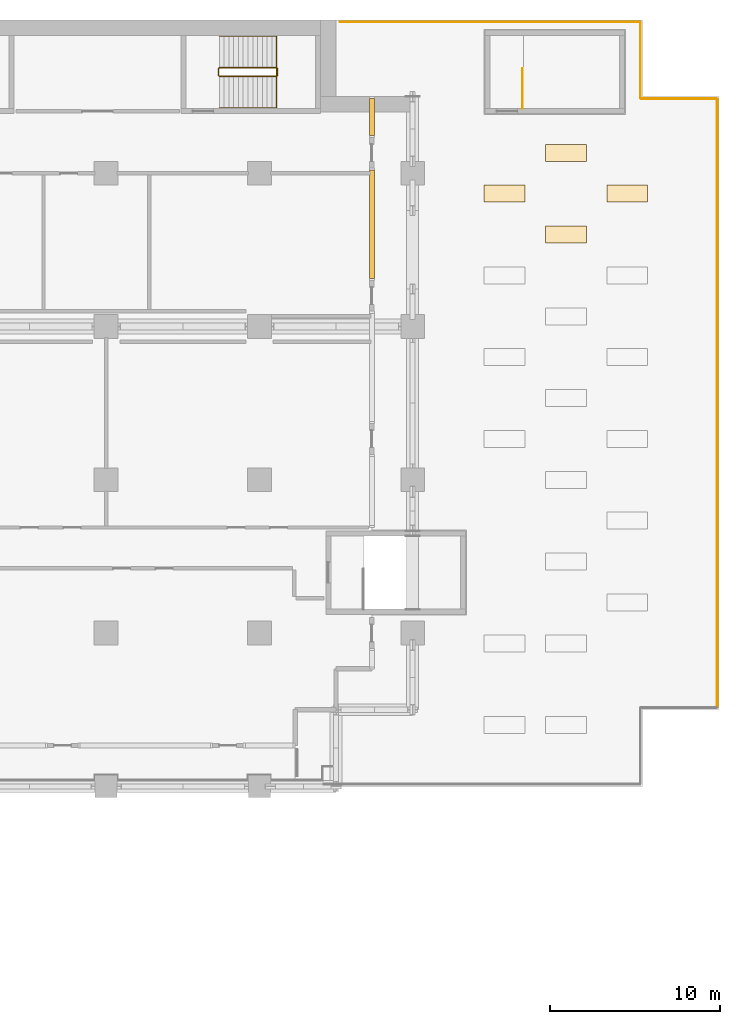
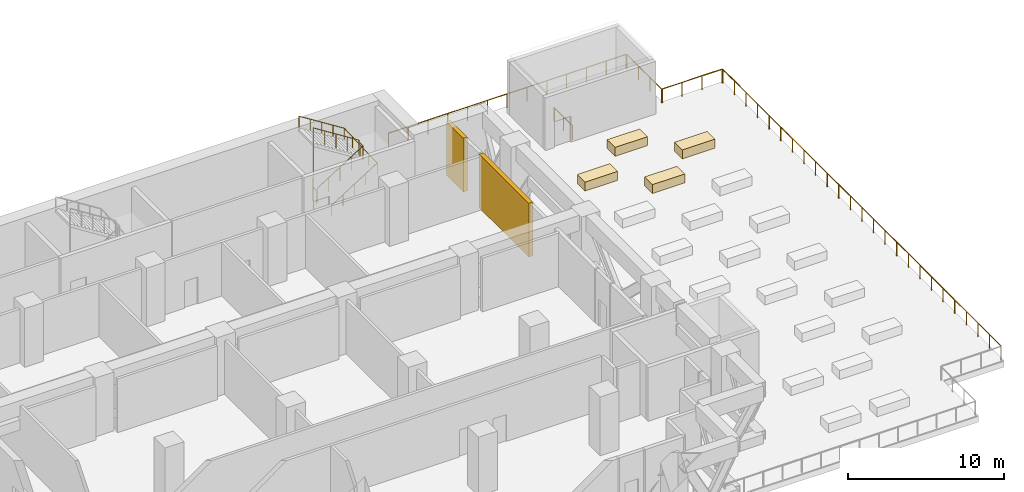
# One storey, part 24 of 24: 7 railings, 4 coverings, 2 shading devices.
"""IFC4 building model written with IfcOpenShell, lengths in metres."""

from ifc_helpers import new_model, si_unit, direction, frame, origin, origin_2d, place, context, subcontext, project, spatial, polyline, rectangle, circle, outline, extrude, material, layer, layer_set, type_object, element, save


model = new_model("IFC4")

# Units and contexts
model_context = context("Model", 3, precision=1e-05, world=origin(), true_north=direction((0.0, 1.0)))
body_context = subcontext(model_context, "Body", "Model", "MODEL_VIEW")
ifc_project = project(units=[si_unit("LENGTHUNIT", "METRE"), si_unit("AREAUNIT", "SQUARE_METRE"), si_unit("VOLUMEUNIT", "CUBIC_METRE"), si_unit("PLANEANGLEUNIT", "RADIAN"), si_unit("MASSUNIT", "GRAM", prefix="KILO")], contexts=[model_context])

# Site, building, storey
site_placement = place(None, origin())
site = spatial("IfcSite", under=ifc_project, at=site_placement, CompositionType="ELEMENT")
building_placement = place(site_placement, origin())
building = spatial("IfcBuilding", under=site, at=building_placement, Name="Hunhe Ridgeline Campus", CompositionType="ELEMENT")
storey_placement = place(building_placement, frame((0.0, 0.0, 80.199951171875)))
storey = spatial("IfcBuildingStorey", under=building, at=storey_placement, Name="L19", CompositionType="ELEMENT", Elevation=80.199951171875)

# Railings
ifc_material_1 = material(Name="Steel Q355", Category="steel")
railing_type_1 = type_object("IfcRailingType", Name="Loggia guard 1100 Steel Q355", PredefinedType="GUARDRAIL", material=ifc_material_1)
railing_1_placement = place(storey_placement, frame((76.75, 98.8798828125, 0.080078125)))
element("IfcRailing", 1, at=railing_1_placement, inside=storey, type_object=railing_type_1, Name="Terrace guard 2", PredefinedType="GUARDRAIL", context=body_context, shape_type="SweptSolid", body=[
    extrude(circle(Radius=0.02392578125, at=origin_2d()), frame((0.0, 0.0, 1.076171875), z_axis=(1.0, 0.0, 0.0), x_axis=(0.0, 1.0, 0.0)), (0.0, 0.0, 1.0), 17.590087890625),
    extrude(circle(Radius=0.02099609375, at=origin_2d()), origin(), (0.0, 0.0, 1.0), 1.052001953125),
    extrude(circle(Radius=0.02099609375, at=origin_2d()), frame((1.4658203125, 0.0, 0.0)), (0.0, 0.0, 1.0), 1.052001953125),
    extrude(circle(Radius=0.02099609375, at=origin_2d()), frame((2.931640625, 0.0, 0.0)), (0.0, 0.0, 1.0), 1.052001953125),
    extrude(circle(Radius=0.02099609375, at=origin_2d()), frame((4.3974609375, 0.0, 0.0)), (0.0, 0.0, 1.0), 1.052001953125),
    extrude(circle(Radius=0.02099609375, at=origin_2d()), frame((5.86328125, 0.0, 0.0)), (0.0, 0.0, 1.0), 1.052001953125),
    extrude(circle(Radius=0.02099609375, at=origin_2d()), frame((7.3291015625, 0.0, 0.0)), (0.0, 0.0, 1.0), 1.052001953125),
    extrude(circle(Radius=0.02099609375, at=origin_2d()), frame((8.794921875, 0.0, 0.0)), (0.0, 0.0, 1.0), 1.052001953125),
    extrude(circle(Radius=0.02099609375, at=origin_2d()), frame((10.260986328125, 0.0, 0.0)), (0.0, 0.0, 1.0), 1.052001953125),
    extrude(circle(Radius=0.02099609375, at=origin_2d()), frame((11.726806640625, 0.0, 0.0)), (0.0, 0.0, 1.0), 1.052001953125),
    extrude(circle(Radius=0.02099609375, at=origin_2d()), frame((13.192626953125, 0.0, 0.0)), (0.0, 0.0, 1.0), 1.052001953125),
    extrude(circle(Radius=0.02099609375, at=origin_2d()), frame((14.658447265625, 0.0, 0.0)), (0.0, 0.0, 1.0), 1.052001953125),
    extrude(circle(Radius=0.02099609375, at=origin_2d()), frame((16.124267578125, 0.0, 0.0)), (0.0, 0.0, 1.0), 1.052001953125),
    extrude(circle(Radius=0.02099609375, at=origin_2d()), frame((17.590087890625, 0.0, 0.0)), (0.0, 0.0, 1.0), 1.052001953125),
])
railing_2_placement = place(storey_placement, frame((94.3798828125, 98.840087890625, 0.080078125)))
element("IfcRailing", 2, at=railing_2_placement, inside=storey, type_object=railing_type_1, Name="Terrace guard 3", PredefinedType="GUARDRAIL", context=body_context, shape_type="SweptSolid", body=[
    extrude(circle(Radius=0.02392578125, at=origin_2d()), frame((0.0, 0.0, 1.076171875), z_axis=(0.000110478925, -0.999999993897, 0.0), x_axis=(0.999999993897, 0.000110478925, 0.0)), (0.0, 0.0, 1.0), 4.419677734375),
    extrude(circle(Radius=0.02099609375, at=origin_2d()), origin(), (0.0, 0.0, 1.0), 1.052001953125),
    extrude(circle(Radius=0.02099609375, at=origin_2d()), frame((0.000244140625, -1.47314453125, 0.0)), (0.0, 0.0, 1.0), 1.052001953125),
    extrude(circle(Radius=0.02099609375, at=origin_2d()), frame((0.000244140625, -2.946533203125, 0.0)), (0.0, 0.0, 1.0), 1.052001953125),
    extrude(circle(Radius=0.02099609375, at=origin_2d()), frame((0.00048828125, -4.419677734375, 0.0)), (0.0, 0.0, 1.0), 1.052001953125),
])
railing_3_placement = place(storey_placement, frame((94.42041015625, 94.38037109375, 0.080078125)))
element("IfcRailing", 3, at=railing_3_placement, inside=storey, type_object=railing_type_1, Name="Terrace guard 4", PredefinedType="GUARDRAIL", context=body_context, shape_type="SweptSolid", body=[
    extrude(circle(Radius=0.02392578125, at=origin_2d()), frame((0.0, 0.0, 1.076171875), z_axis=(0.999999993897, -0.000110478925, 0.0), x_axis=(0.000110478925, 0.999999993897, 0.0)), (0.0, 0.0, 1.0), 4.419677734375),
    extrude(circle(Radius=0.02099609375, at=origin_2d()), origin(), (0.0, 0.0, 1.0), 1.052001953125),
    extrude(circle(Radius=0.02099609375, at=origin_2d()), frame((1.47314453125, -0.000244140625, 0.0)), (0.0, 0.0, 1.0), 1.052001953125),
    extrude(circle(Radius=0.02099609375, at=origin_2d()), frame((2.946533203125, -0.000244140625, 0.0)), (0.0, 0.0, 1.0), 1.052001953125),
    extrude(circle(Radius=0.02099609375, at=origin_2d()), frame((4.419677734375, -0.00048828125, 0.0)), (0.0, 0.0, 1.0), 1.052001953125),
])
railing_4_placement = place(storey_placement, frame((98.8798828125, 94.340087890625, 0.080078125)))
element("IfcRailing", 4, at=railing_4_placement, inside=storey, type_object=railing_type_1, Name="Terrace guard 5", PredefinedType="GUARDRAIL", context=body_context, shape_type="SweptSolid", body=[
    extrude(circle(Radius=0.02392578125, at=origin_2d()), frame((0.0, 0.0, 1.076171875), z_axis=(0.0, -1.0, 0.0), x_axis=(1.0, 0.0, 0.0)), (0.0, 0.0, 1.0), 35.68017578125),
    extrude(circle(Radius=0.02099609375, at=origin_2d()), origin(), (0.0, 0.0, 1.0), 1.052001953125),
    extrude(circle(Radius=0.02099609375, at=origin_2d()), frame((0.0, -1.486572265625, 0.0)), (0.0, 0.0, 1.0), 1.052001953125),
    extrude(circle(Radius=0.02099609375, at=origin_2d()), frame((0.0, -2.973388671875, 0.0)), (0.0, 0.0, 1.0), 1.052001953125),
    extrude(circle(Radius=0.02099609375, at=origin_2d()), frame((0.0, -4.4599609375, 0.0)), (0.0, 0.0, 1.0), 1.052001953125),
    extrude(circle(Radius=0.02099609375, at=origin_2d()), frame((0.0, -5.94677734375, 0.0)), (0.0, 0.0, 1.0), 1.052001953125),
    extrude(circle(Radius=0.02099609375, at=origin_2d()), frame((0.0, -7.433349609375, 0.0)), (0.0, 0.0, 1.0), 1.052001953125),
    extrude(circle(Radius=0.02099609375, at=origin_2d()), frame((0.0, -8.919921875, 0.0)), (0.0, 0.0, 1.0), 1.052001953125),
    extrude(circle(Radius=0.02099609375, at=origin_2d()), frame((0.0, -10.40673828125, 0.0)), (0.0, 0.0, 1.0), 1.052001953125),
    extrude(circle(Radius=0.02099609375, at=origin_2d()), frame((0.0, -11.893310546875, 0.0)), (0.0, 0.0, 1.0), 1.052001953125),
    extrude(circle(Radius=0.02099609375, at=origin_2d()), frame((0.0, -13.380126953125, 0.0)), (0.0, 0.0, 1.0), 1.052001953125),
    extrude(circle(Radius=0.02099609375, at=origin_2d()), frame((0.0, -14.86669921875, 0.0)), (0.0, 0.0, 1.0), 1.052001953125),
    extrude(circle(Radius=0.02099609375, at=origin_2d()), frame((0.0, -16.353515625, 0.0)), (0.0, 0.0, 1.0), 1.052001953125),
    extrude(circle(Radius=0.02099609375, at=origin_2d()), frame((0.0, -17.840087890625, 0.0)), (0.0, 0.0, 1.0), 1.052001953125),
    extrude(circle(Radius=0.02099609375, at=origin_2d()), frame((0.0, -19.32666015625, 0.0)), (0.0, 0.0, 1.0), 1.052001953125),
    extrude(circle(Radius=0.02099609375, at=origin_2d()), frame((0.0, -20.8134765625, 0.0)), (0.0, 0.0, 1.0), 1.052001953125),
    extrude(circle(Radius=0.02099609375, at=origin_2d()), frame((0.0, -22.300048828125, 0.0)), (0.0, 0.0, 1.0), 1.052001953125),
    extrude(circle(Radius=0.02099609375, at=origin_2d()), frame((0.0, -23.786865234375, 0.0)), (0.0, 0.0, 1.0), 1.052001953125),
    extrude(circle(Radius=0.02099609375, at=origin_2d()), frame((0.0, -25.2734375, 0.0)), (0.0, 0.0, 1.0), 1.052001953125),
    extrude(circle(Radius=0.02099609375, at=origin_2d()), frame((0.0, -26.76025390625, 0.0)), (0.0, 0.0, 1.0), 1.052001953125),
    extrude(circle(Radius=0.02099609375, at=origin_2d()), frame((0.0, -28.246826171875, 0.0)), (0.0, 0.0, 1.0), 1.052001953125),
    extrude(circle(Radius=0.02099609375, at=origin_2d()), frame((0.0, -29.7333984375, 0.0)), (0.0, 0.0, 1.0), 1.052001953125),
    extrude(circle(Radius=0.02099609375, at=origin_2d()), frame((0.0, -31.22021484375, 0.0)), (0.0, 0.0, 1.0), 1.052001953125),
    extrude(circle(Radius=0.02099609375, at=origin_2d()), frame((0.0, -32.706787109375, 0.0)), (0.0, 0.0, 1.0), 1.052001953125),
    extrude(circle(Radius=0.02099609375, at=origin_2d()), frame((0.0, -34.193603515625, 0.0)), (0.0, 0.0, 1.0), 1.052001953125),
    extrude(circle(Radius=0.02099609375, at=origin_2d()), frame((0.0, -35.68017578125, 0.0)), (0.0, 0.0, 1.0), 1.052001953125),
])

# Shading devices
ifc_material_2 = material(Name="Aluminium 6063", Category="aluminium")
ifc_layer = layer(ifc_material_2, 0.300048828125)
ifc_layer_set = layer_set([ifc_layer], Name="Louvre bank 300 Aluminium 6063")
shading_device_type = type_object("IfcShadingDeviceType", Name="Louvre bank 300 Aluminium 6063", PredefinedType="USERDEFINED", material=ifc_layer_set)
shading_device_1_placement = place(storey_placement, frame((78.59912109375, 87.000244140625, 0.0), z_axis=(0.0, 0.0, 1.0), x_axis=(0.0, 1.0, 0.0)))
element("IfcShadingDevice", 5, at=shading_device_1_placement, inside=storey, type_object=shading_device_type, Name="Louvre bank 28", ObjectType="LOUVRE", PredefinedType="USERDEFINED", context=body_context, shape_type="SweptSolid", body=[
    extrude(rectangle(XDim=6.35986328125, YDim=0.300048828125, at=origin_2d()), origin(), (0.0, 0.0, 1.0), 4.199951171875),
])
shading_device_2_placement = place(storey_placement, frame((78.59912109375, 93.300048828125, 0.0), z_axis=(0.0, 0.0, 1.0), x_axis=(0.0, 1.0, 0.0)))
element("IfcShadingDevice", 6, at=shading_device_2_placement, inside=storey, type_object=shading_device_type, Name="Louvre bank 29", ObjectType="LOUVRE", PredefinedType="USERDEFINED", context=body_context, shape_type="SweptSolid", body=[
    extrude(rectangle(XDim=2.159912109375, YDim=0.300048828125, at=origin_2d()), origin(), (0.0, 0.0, 1.0), 4.199951171875),
])

# Coverings
ifc_material_3 = material(Name="Planting soil")
covering_type = type_object("IfcCoveringType", Name="Planter box 700 planting soil", PredefinedType="USERDEFINED", material=ifc_material_3)
covering_1_placement = place(storey_placement, frame((0.0, 0.0, 0.080078125)))
element("IfcCovering", 7, at=covering_1_placement, inside=storey, type_object=covering_type, Name="Planter 6", ObjectType="PLANTER", PredefinedType="USERDEFINED", context=body_context, shape_type="SweptSolid", body=[
    extrude(outline(polyline([(85.199951171875, 88.300048828125), (87.60009765625, 88.300048828125), (87.60009765625, 89.300048828125), (85.199951171875, 89.300048828125), (85.199951171875, 88.300048828125)])), origin(), (0.0, 0.0, 1.0), 0.699951171875),
])
covering_2_placement = place(storey_placement, frame((0.0, 0.0, 0.080078125)))
element("IfcCovering", 8, at=covering_2_placement, inside=storey, type_object=covering_type, Name="Planter 13", ObjectType="PLANTER", PredefinedType="USERDEFINED", context=body_context, shape_type="SweptSolid", body=[
    extrude(outline(polyline([(88.800048828125, 85.89990234375), (91.199951171875, 85.89990234375), (91.199951171875, 86.89990234375), (88.800048828125, 86.89990234375), (88.800048828125, 85.89990234375)])), origin(), (0.0, 0.0, 1.0), 0.699951171875),
])
covering_3_placement = place(storey_placement, frame((0.0, 0.0, 0.080078125)))
element("IfcCovering", 9, at=covering_3_placement, inside=storey, type_object=covering_type, Name="Planter 14", ObjectType="PLANTER", PredefinedType="USERDEFINED", context=body_context, shape_type="SweptSolid", body=[
    extrude(outline(polyline([(88.800048828125, 90.699951171875), (91.199951171875, 90.699951171875), (91.199951171875, 91.699951171875), (88.800048828125, 91.699951171875), (88.800048828125, 90.699951171875)])), origin(), (0.0, 0.0, 1.0), 0.699951171875),
])
covering_4_placement = place(storey_placement, frame((0.0, 0.0, 0.080078125)))
element("IfcCovering", 10, at=covering_4_placement, inside=storey, type_object=covering_type, Name="Planter 20", ObjectType="PLANTER", PredefinedType="USERDEFINED", context=body_context, shape_type="SweptSolid", body=[
    extrude(outline(polyline([(92.39990234375, 88.300048828125), (94.800048828125, 88.300048828125), (94.800048828125, 89.300048828125), (92.39990234375, 89.300048828125), (92.39990234375, 88.300048828125)])), origin(), (0.0, 0.0, 1.0), 0.699951171875),
])

# Railings
ifc_material_4 = material(Name="Stainless steel balustrade", Category="steel")
railing_type_2 = type_object("IfcRailingType", Name="Stair guard 1100 stainless", PredefinedType="GUARDRAIL", material=ifc_material_4)
railing_5_placement = place(storey_placement, frame((69.64990234375, 95.699951171875, 0.177001953125)))
element("IfcRailing", 11, at=railing_5_placement, inside=storey, type_object=railing_type_2, Name="L19 stair E3 guard", PredefinedType="GUARDRAIL", context=body_context, shape_type="SweptSolid", body=[
    extrude(circle(Radius=0.02392578125, at=origin_2d()), frame((0.0, 0.0, 1.076171875), z_axis=(0.845389635667, 0.0, 0.534150132366), x_axis=(0.0, 1.0, 0.0)), (0.0, 0.0, 1.0), 3.974609375),
    extrude(circle(Radius=0.02392578125, at=origin_2d()), frame((3.360107421875, 0.0, 3.19921875), z_axis=(0.707106781187, 0.707106781187, 0.0), x_axis=(-0.707106781187, 0.707106781187, 0.0)), (0.0, 0.0, 1.0), 0.07080078125),
    extrude(circle(Radius=0.02392578125, at=origin_2d()), frame((3.41015625, 0.050048828125, 3.19921875), z_axis=(0.0, 1.0, 0.0), x_axis=(-1.0, 0.0, 0.0)), (0.0, 0.0, 1.0), 0.39990234375),
    extrude(circle(Radius=0.02392578125, at=origin_2d()), frame((3.41015625, 0.449951171875, 3.19921875), z_axis=(-0.262545553595, 0.262545553595, 0.928514762713), x_axis=(-0.707106781187, -0.707106781187, 0.0)), (0.0, 0.0, 1.0), 0.190673828125),
    extrude(circle(Radius=0.02392578125, at=origin_2d()), frame((3.360107421875, 0.5, 3.3759765625), z_axis=(-0.845389635667, 0.0, 0.534150132366), x_axis=(0.0, -1.0, 0.0)), (0.0, 0.0, 1.0), 3.974609375),
    extrude(circle(Radius=0.02392578125, at=origin_2d()), frame((0.0, 0.5, 5.4990234375), z_axis=(-0.010825600977, -0.010878667648, -0.999882223541), x_axis=(0.708833529934, -0.705375805398, 0.0)), (0.0, 0.0, 1.0), 4.6005859375),
    extrude(circle(Radius=0.02392578125, at=origin_2d()), frame((-0.0498046875, 0.449951171875, 0.89892578125), z_axis=(0.0, -1.0, 0.0), x_axis=(1.0, 0.0, 0.0)), (0.0, 0.0, 1.0), 0.39990234375),
    extrude(circle(Radius=0.02099609375, at=origin_2d()), origin(), (0.0, 0.0, 1.0), 1.052001953125),
    extrude(circle(Radius=0.02099609375, at=origin_2d()), frame((0.840087890625, 0.0, 0.53076171875)), (0.0, 0.0, 1.0), 1.052001953125),
    extrude(circle(Radius=0.02099609375, at=origin_2d()), frame((1.68017578125, 0.0, 1.0615234375)), (0.0, 0.0, 1.0), 1.052001953125),
    extrude(circle(Radius=0.02099609375, at=origin_2d()), frame((2.52001953125, 0.0, 1.59228515625)), (0.0, 0.0, 1.0), 1.052001953125),
    extrude(circle(Radius=0.02099609375, at=origin_2d()), frame((3.360107421875, 0.0, 2.123046875)), (0.0, 0.0, 1.0), 1.052001953125),
    extrude(circle(Radius=0.02099609375, at=origin_2d()), frame((3.41015625, 0.050048828125, 2.123046875)), (0.0, 0.0, 1.0), 1.052001953125),
    extrude(circle(Radius=0.02099609375, at=origin_2d()), frame((3.41015625, 0.449951171875, 2.123046875)), (0.0, 0.0, 1.0), 1.052001953125),
    extrude(circle(Radius=0.02099609375, at=origin_2d()), frame((3.360107421875, 0.5, 2.300048828125)), (0.0, 0.0, 1.0), 1.052001953125),
    extrude(circle(Radius=0.02099609375, at=origin_2d()), frame((2.52001953125, 0.5, 2.830810546875)), (0.0, 0.0, 1.0), 1.052001953125),
    extrude(circle(Radius=0.02099609375, at=origin_2d()), frame((1.68017578125, 0.5, 3.361572265625)), (0.0, 0.0, 1.0), 1.052001953125),
    extrude(circle(Radius=0.02099609375, at=origin_2d()), frame((0.840087890625, 0.5, 3.892333984375)), (0.0, 0.0, 1.0), 1.052001953125),
    extrude(circle(Radius=0.02099609375, at=origin_2d()), frame((0.0, 0.5, 4.423095703125)), (0.0, 0.0, 1.0), 1.052001953125),
    extrude(circle(Radius=0.02099609375, at=origin_2d()), frame((-0.012451171875, 0.487548828125, 3.27294921875)), (0.0, 0.0, 1.0), 1.052001953125),
    extrude(circle(Radius=0.02099609375, at=origin_2d()), frame((-0.02490234375, 0.47509765625, 2.123046875)), (0.0, 0.0, 1.0), 1.052001953125),
    extrude(circle(Radius=0.02099609375, at=origin_2d()), frame((-0.037353515625, 0.46240234375, 0.97314453125)), (0.0, 0.0, 1.0), 1.052001953125),
    extrude(circle(Radius=0.02099609375, at=origin_2d()), frame((-0.0498046875, 0.449951171875, -0.177001953125)), (0.0, 0.0, 1.0), 1.052001953125),
    extrude(circle(Radius=0.02099609375, at=origin_2d()), frame((-0.0498046875, 0.050048828125, -0.177001953125)), (0.0, 0.0, 1.0), 1.052001953125),
])
railing_6_placement = place(storey_placement, frame((87.449951171875, 93.800048828125, 0.0)))
element("IfcRailing", 12, at=railing_6_placement, inside=storey, type_object=railing_type_2, Name="L19 stair E4 top guard 1", PredefinedType="GUARDRAIL", context=body_context, shape_type="SweptSolid", body=[
    extrude(circle(Radius=0.02392578125, at=origin_2d()), frame((0.0, 0.0, 1.076171875), z_axis=(0.0, 1.0, 0.0), x_axis=(-1.0, 0.0, 0.0)), (0.0, 0.0, 1.0), 2.349853515625),
    extrude(circle(Radius=0.02099609375, at=origin_2d()), origin(), (0.0, 0.0, 1.0), 1.052001953125),
    extrude(circle(Radius=0.02099609375, at=origin_2d()), frame((0.0, 1.1748046875, 0.0)), (0.0, 0.0, 1.0), 1.052001953125),
    extrude(circle(Radius=0.02099609375, at=origin_2d()), frame((0.0, 2.349853515625, 0.0)), (0.0, 0.0, 1.0), 1.052001953125),
])
ifc_material_5 = material(Name="Stainless steel handrail", Category="steel")
railing_type_3 = type_object("IfcRailingType", Name="Stair handrail 900 stainless", PredefinedType="HANDRAIL", material=ifc_material_5)
railing_7_placement = place(storey_placement, frame((69.64990234375, 93.85009765625, 0.177001953125)))
element("IfcRailing", 13, at=railing_7_placement, inside=storey, type_object=railing_type_3, Name="L19 stair E3 handrail", PredefinedType="HANDRAIL", context=body_context, shape_type="SweptSolid", body=[
    extrude(circle(Radius=0.02392578125, at=origin_2d()), frame((0.0, 0.0, 0.8759765625), z_axis=(0.845389635667, 0.0, 0.534150132366), x_axis=(0.0, 1.0, 0.0)), (0.0, 0.0, 1.0), 3.974609375),
    extrude(circle(Radius=0.02392578125, at=origin_2d()), frame((3.360107421875, 0.0, 2.9990234375), z_axis=(0.0, 0.999113130752, 0.042106436075), x_axis=(-1.0, 0.0, 0.0)), (0.0, 0.0, 1.0), 4.20361328125),
    extrude(circle(Radius=0.02392578125, at=origin_2d()), frame((3.360107421875, 4.199951171875, 3.17578125), z_axis=(-0.845389635667, 0.0, 0.534150132366), x_axis=(0.0, -1.0, 0.0)), (0.0, 0.0, 1.0), 3.974609375),
    extrude(circle(Radius=0.02099609375, at=origin_2d()), origin(), (0.0, 0.0, 1.0), 0.851806640625),
    extrude(circle(Radius=0.02099609375, at=origin_2d()), frame((0.840087890625, 0.0, 0.53076171875)), (0.0, 0.0, 1.0), 0.851806640625),
    extrude(circle(Radius=0.02099609375, at=origin_2d()), frame((1.68017578125, 0.0, 1.0615234375)), (0.0, 0.0, 1.0), 0.851806640625),
    extrude(circle(Radius=0.02099609375, at=origin_2d()), frame((2.52001953125, 0.0, 1.59228515625)), (0.0, 0.0, 1.0), 0.851806640625),
    extrude(circle(Radius=0.02099609375, at=origin_2d()), frame((3.360107421875, 0.0, 2.123046875)), (0.0, 0.0, 1.0), 0.851806640625),
    extrude(circle(Radius=0.02099609375, at=origin_2d()), frame((3.360107421875, 1.050048828125, 2.167236328125)), (0.0, 0.0, 1.0), 0.851806640625),
    extrude(circle(Radius=0.02099609375, at=origin_2d()), frame((3.360107421875, 2.10009765625, 2.21142578125)), (0.0, 0.0, 1.0), 0.851806640625),
    extrude(circle(Radius=0.02099609375, at=origin_2d()), frame((3.360107421875, 3.14990234375, 2.255859375)), (0.0, 0.0, 1.0), 0.851806640625),
    extrude(circle(Radius=0.02099609375, at=origin_2d()), frame((3.360107421875, 4.199951171875, 2.300048828125)), (0.0, 0.0, 1.0), 0.851806640625),
    extrude(circle(Radius=0.02099609375, at=origin_2d()), frame((2.52001953125, 4.199951171875, 2.830810546875)), (0.0, 0.0, 1.0), 0.851806640625),
    extrude(circle(Radius=0.02099609375, at=origin_2d()), frame((1.68017578125, 4.199951171875, 3.361572265625)), (0.0, 0.0, 1.0), 0.851806640625),
    extrude(circle(Radius=0.02099609375, at=origin_2d()), frame((0.840087890625, 4.199951171875, 3.892333984375)), (0.0, 0.0, 1.0), 0.851806640625),
    extrude(circle(Radius=0.02099609375, at=origin_2d()), frame((0.0, 4.199951171875, 4.423095703125)), (0.0, 0.0, 1.0), 0.851806640625),
])

save(model, "model.ifc")
